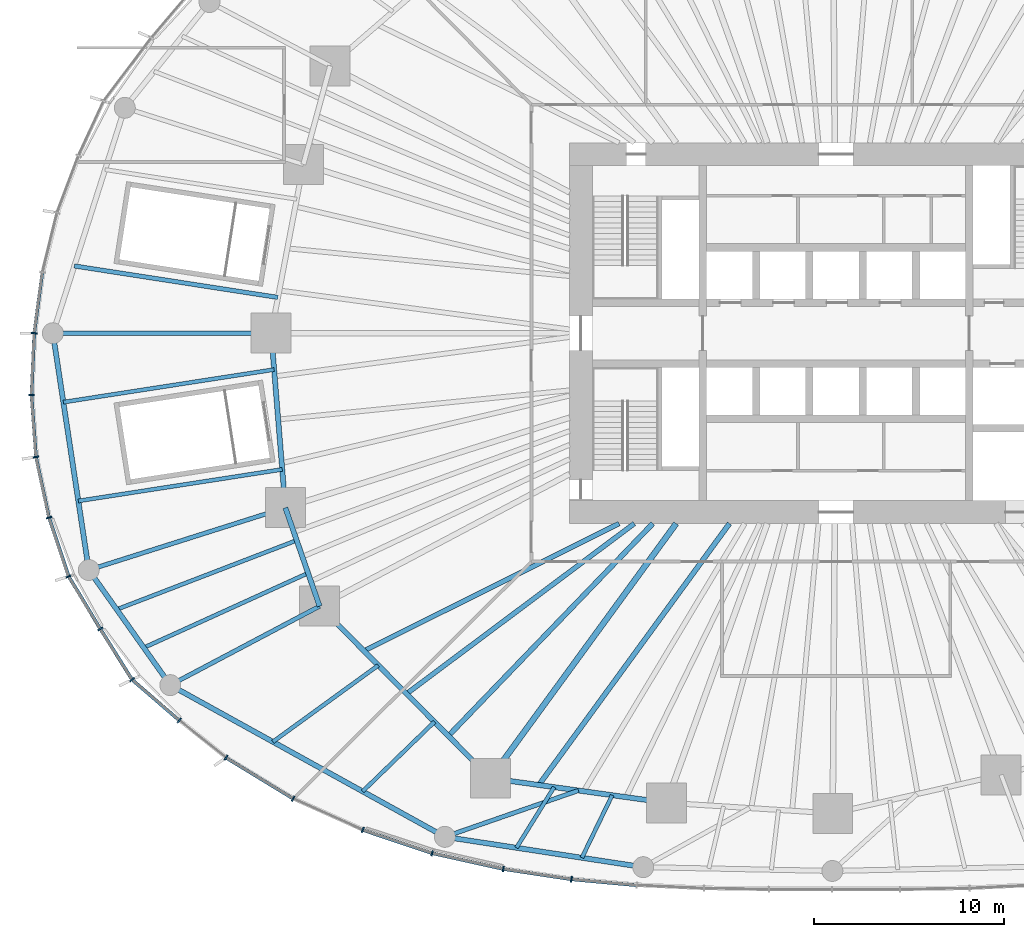
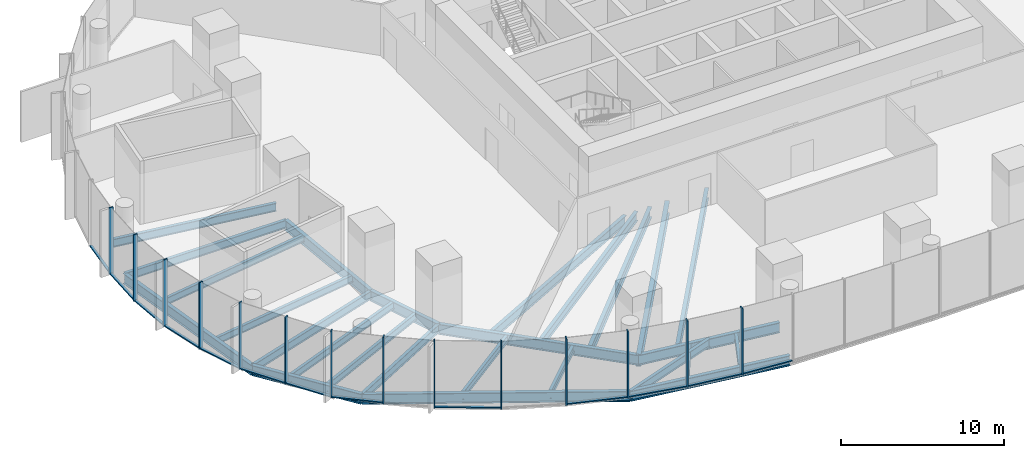
# One storey, part 2 of 27: 27 members, 26 beams, 5 elements without a shape of their own.
"""IFC4 building model written with IfcOpenShell, lengths in metres."""

from ifc_helpers import new_model, si_unit, direction, frame, origin, origin_2d, place, context, subcontext, project, spatial, rectangle, i_section, extrude, material, material_profile, profile_set, type_object, element, aggregate, save


model = new_model("IFC4")

# Units and contexts
model_context = context("Model", 3, precision=1e-05, world=origin(), true_north=direction((0.0, 1.0)))
body_context = subcontext(model_context, "Body", "Model", "MODEL_VIEW")
ifc_project = project(units=[si_unit("LENGTHUNIT", "METRE"), si_unit("AREAUNIT", "SQUARE_METRE"), si_unit("VOLUMEUNIT", "CUBIC_METRE"), si_unit("PLANEANGLEUNIT", "RADIAN"), si_unit("MASSUNIT", "GRAM", prefix="KILO")], contexts=[model_context])

# Site, building, storey
site_placement = place(None, origin())
site = spatial("IfcSite", under=ifc_project, at=site_placement, CompositionType="ELEMENT")
building_placement = place(site_placement, origin())
building = spatial("IfcBuilding", under=site, at=building_placement, Name="Ghaith Harvest Tower", CompositionType="ELEMENT")
storey_placement = place(building_placement, frame((0.0, 0.0, 10.0)))
storey = spatial("IfcBuildingStorey", under=building, at=storey_placement, Name="L02", CompositionType="ELEMENT", Elevation=10.0)

# Curtain wall, members
ifc_material_1 = material(Name="Black anodised aluminium and fritted glass", Category="aluminium")
curtain_wall_type = type_object("IfcCurtainWallType", Name="CW-P CURTAIN WALL", PredefinedType="NOTDEFINED", material=ifc_material_1)
curtain_wall_1_placement = place(storey_placement, origin())
curtain_wall_1 = element("IfcCurtainWall", 1, at=curtain_wall_1_placement, inside=storey, type_object=curtain_wall_type, Name="Curtain wall CW-P bay 11 L02", PredefinedType="NOTDEFINED")
ifc_material_2 = material(Name="Aluminium, black anodised", Category="aluminium")
ifc_material_profile_1 = material_profile(ifc_material_2, rectangle(XDim=0.080078125, YDim=0.300048828125, at=origin_2d()), Name="CW-P MULLION 80x300")
ifc_profile_set_1 = profile_set([ifc_material_profile_1], Name="Aluminium, black anodised")
member_type_1 = type_object("IfcMemberType", Name="CW-P MULLION 80x300", PredefinedType="MULLION", material=ifc_profile_set_1)
member_1_placement = place(storey_placement, frame((-42.1201171875, 0.0, 0.0), z_axis=(0.0, 0.0, 1.0), x_axis=(-0.088430686487, -0.996082332786, 0.0)))
member_1 = element("IfcMember", 2, at=member_1_placement, type_object=member_type_1, Name="CW-P mullion 1 bay 11 L02", PredefinedType="MULLION", context=body_context, shape_type="SweptSolid", body=[
    extrude(rectangle(XDim=0.080078125, YDim=0.300048828125, at=origin_2d()), origin(), (0.0, 0.0, 1.0), 5.0),
])
member_2_placement = place(storey_placement, frame((-42.265380859375, -3.249267578125, 0.0), z_axis=(0.0, 0.0, 1.0), x_axis=(0.014346656927, -0.999897081421, 0.0)))
member_2 = element("IfcMember", 3, at=member_2_placement, type_object=member_type_1, Name="CW-P mullion 2 bay 11 L02", PredefinedType="MULLION", context=body_context, shape_type="SweptSolid", body=[
    extrude(rectangle(XDim=0.080078125, YDim=0.300048828125, at=origin_2d()), origin(), (0.0, 0.0, 1.0), 5.0),
])
member_3_placement = place(storey_placement, frame((-42.02685546875, -6.500244140625, 0.0), z_axis=(0.0, 0.0, 1.0), x_axis=(0.141967505359, -0.989871318618, 0.0)))
member_3 = element("IfcMember", 4, at=member_3_placement, type_object=member_type_1, Name="CW-P mullion 3 bay 11 L02", PredefinedType="MULLION", context=body_context, shape_type="SweptSolid", body=[
    extrude(rectangle(XDim=0.080078125, YDim=0.300048828125, at=origin_2d()), origin(), (0.0, 0.0, 1.0), 5.0),
])
member_4_placement = place(storey_placement, frame((-41.341796875, -9.687744140625, 0.0), z_axis=(0.0, 0.0, 1.0), x_axis=(0.263666740541, -0.964613834616, 0.0)))
member_4 = element("IfcMember", 5, at=member_4_placement, type_object=member_type_1, Name="CW-P mullion 4 bay 11 L02", PredefinedType="MULLION", context=body_context, shape_type="SweptSolid", body=[
    extrude(rectangle(XDim=0.080078125, YDim=0.300048828125, at=origin_2d()), origin(), (0.0, 0.0, 1.0), 5.0),
])

curtain_wall_2_placement = place(storey_placement, origin())
curtain_wall_2 = element("IfcCurtainWall", 6, at=curtain_wall_2_placement, inside=storey, type_object=curtain_wall_type, Name="Curtain wall CW-P bay 12 L02", PredefinedType="NOTDEFINED")
member_5_placement = place(storey_placement, frame((-40.3115234375, -12.775390625, 0.0), z_axis=(0.0, 0.0, 1.0), x_axis=(0.418321809104, -0.908298884744, 0.0)))
member_5 = element("IfcMember", 7, at=member_5_placement, type_object=member_type_1, Name="CW-P mullion 1 bay 12 L02", PredefinedType="MULLION", context=body_context, shape_type="SweptSolid", body=[
    extrude(rectangle(XDim=0.080078125, YDim=0.300048828125, at=origin_2d()), origin(), (0.0, 0.0, 1.0), 5.0),
])
member_6_placement = place(storey_placement, frame((-38.6494140625, -15.53369140625, 0.0), z_axis=(0.0, 0.0, 1.0), x_axis=(0.522983895334, -0.852342563305, 0.0)))
member_6 = element("IfcMember", 8, at=member_6_placement, type_object=member_type_1, Name="CW-P mullion 2 bay 12 L02", PredefinedType="MULLION", context=body_context, shape_type="SweptSolid", body=[
    extrude(rectangle(XDim=0.080078125, YDim=0.300048828125, at=origin_2d()), origin(), (0.0, 0.0, 1.0), 5.0),
])
member_7_placement = place(storey_placement, frame((-36.981201171875, -18.202880859375, 0.0), z_axis=(0.0, 0.0, 1.0), x_axis=(0.653047165379, -0.75731723854, 0.0)))
member_7 = element("IfcMember", 9, at=member_7_placement, type_object=member_type_1, Name="CW-P mullion 3 bay 12 L02", PredefinedType="MULLION", context=body_context, shape_type="SweptSolid", body=[
    extrude(rectangle(XDim=0.080078125, YDim=0.300048828125, at=origin_2d()), origin(), (0.0, 0.0, 1.0), 5.0),
])
member_8_placement = place(storey_placement, frame((-34.5048828125, -20.34033203125, 0.0), z_axis=(0.0, 0.0, 1.0), x_axis=(0.769372987799, -0.638799816566, 0.0)))
member_8 = element("IfcMember", 10, at=member_8_placement, type_object=member_type_1, Name="CW-P mullion 4 bay 12 L02", PredefinedType="MULLION", context=body_context, shape_type="SweptSolid", body=[
    extrude(rectangle(XDim=0.080078125, YDim=0.300048828125, at=origin_2d()), origin(), (0.0, 0.0, 1.0), 5.0),
])

curtain_wall_3_placement = place(storey_placement, origin())
curtain_wall_3 = element("IfcCurtainWall", 11, at=curtain_wall_3_placement, inside=storey, type_object=curtain_wall_type, Name="Curtain wall CW-P bay 13 L02", PredefinedType="NOTDEFINED")
member_9_placement = place(storey_placement, frame((-32.0478515625, -22.299072265625, 0.0), z_axis=(0.0, 0.0, 1.0), x_axis=(0.824303659117, -0.566147929049, 0.0)))
member_9 = element("IfcMember", 12, at=member_9_placement, type_object=member_type_1, Name="CW-P mullion 1 bay 13 L02", PredefinedType="MULLION", context=body_context, shape_type="SweptSolid", body=[
    extrude(rectangle(XDim=0.080078125, YDim=0.300048828125, at=origin_2d()), origin(), (0.0, 0.0, 1.0), 5.0),
])
member_10_placement = place(storey_placement, frame((-28.51904296875, -24.451416015625, 0.0), z_axis=(0.0, 0.0, 1.0), x_axis=(0.884189562915, -0.467128265932, 0.0)))
member_10 = element("IfcMember", 13, at=member_10_placement, type_object=member_type_1, Name="CW-P mullion 2 bay 13 L02", PredefinedType="MULLION", context=body_context, shape_type="SweptSolid", body=[
    extrude(rectangle(XDim=0.080078125, YDim=0.300048828125, at=origin_2d()), origin(), (0.0, 0.0, 1.0), 5.0),
])
member_11_placement = place(storey_placement, frame((-24.861572265625, -26.095703125, 0.0), z_axis=(0.0, 0.0, 1.0), x_axis=(0.93087582333, -0.36533573811, 0.0)))
member_11 = element("IfcMember", 14, at=member_11_placement, type_object=member_type_1, Name="CW-P mullion 3 bay 13 L02", PredefinedType="MULLION", context=body_context, shape_type="SweptSolid", body=[
    extrude(rectangle(XDim=0.080078125, YDim=0.300048828125, at=origin_2d()), origin(), (0.0, 0.0, 1.0), 5.0),
])

curtain_wall_4_placement = place(storey_placement, origin())
curtain_wall_4 = element("IfcCurtainWall", 15, at=curtain_wall_4_placement, inside=storey, type_object=curtain_wall_type, Name="Curtain wall CW-P bay 14 L02", PredefinedType="NOTDEFINED")
member_12_placement = place(storey_placement, frame((-21.2158203125, -27.317626953125, 0.0), z_axis=(0.0, 0.0, 1.0), x_axis=(0.963515543875, -0.267652380358, 0.0)))
member_12 = element("IfcMember", 16, at=member_12_placement, type_object=member_type_1, Name="CW-P mullion 1 bay 14 L02", PredefinedType="MULLION", context=body_context, shape_type="SweptSolid", body=[
    extrude(rectangle(XDim=0.080078125, YDim=0.300048828125, at=origin_2d()), origin(), (0.0, 0.0, 1.0), 5.0),
])
member_13_placement = place(storey_placement, frame((-17.480224609375, -28.146240234375, 0.0), z_axis=(0.0, 0.0, 1.0), x_axis=(0.982925966769, -0.18400147785, 0.0)))
member_13 = element("IfcMember", 17, at=member_13_placement, type_object=member_type_1, Name="CW-P mullion 2 bay 14 L02", PredefinedType="MULLION", context=body_context, shape_type="SweptSolid", body=[
    extrude(rectangle(XDim=0.080078125, YDim=0.300048828125, at=origin_2d()), origin(), (0.0, 0.0, 1.0), 5.0),
])
member_14_placement = place(storey_placement, frame((-13.899169921875, -28.687255859375, 0.0), z_axis=(0.0, 0.0, 1.0), x_axis=(0.992661873774, -0.120923134079, 0.0)))
member_14 = element("IfcMember", 18, at=member_14_placement, type_object=member_type_1, Name="CW-P mullion 3 bay 14 L02", PredefinedType="MULLION", context=body_context, shape_type="SweptSolid", body=[
    extrude(rectangle(XDim=0.080078125, YDim=0.300048828125, at=origin_2d()), origin(), (0.0, 0.0, 1.0), 5.0),
])

# Curtain wall, member
curtain_wall_5_placement = place(storey_placement, origin())
curtain_wall_5 = element("IfcCurtainWall", 19, at=curtain_wall_5_placement, inside=storey, type_object=curtain_wall_type, Name="Curtain wall CW-P bay 10 L02", PredefinedType="NOTDEFINED")
ifc_material_3 = material(Name="Aluminium, black anodised", Category="aluminium")
ifc_material_profile_2 = material_profile(ifc_material_3, rectangle(XDim=0.179931640625, YDim=0.080078125, at=origin_2d()), Name="CW-P TRANSOM 180x80")
ifc_profile_set_2 = profile_set([ifc_material_profile_2], Name="Aluminium, black anodised")
member_type_2 = type_object("IfcMemberType", Name="CW-P TRANSOM 180x80", PredefinedType="USERDEFINED", material=ifc_profile_set_2)
member_15_placement = place(storey_placement, frame((-41.697509765625, 3.16552734375, 0.0400390625), z_axis=(-0.132300630161, -0.991209636383, 0.0), x_axis=(0.991209636383, -0.132300630161, 0.0)))
member_15 = element("IfcMember", 20, at=member_15_placement, type_object=member_type_2, Name="CW-P transom 4 bay 10 L02", ObjectType="TRANSOM", PredefinedType="USERDEFINED", context=body_context, shape_type="SweptSolid", body=[
    extrude(rectangle(XDim=0.179931640625, YDim=0.080078125, at=origin_2d()), origin(), (0.0, 0.0, 1.0), 3.15380859375),
])
aggregate(curtain_wall_5, [member_15])

# Member
member_16_placement = place(storey_placement, frame((-42.121826171875, -0.0400390625, 0.0400390625), z_axis=(-0.044636154371, -0.999003310166, 0.0), x_axis=(0.999003310166, -0.044636154371, 0.0)))
member_16 = element("IfcMember", 21, at=member_16_placement, type_object=member_type_2, Name="CW-P transom 1 bay 11 L02", ObjectType="TRANSOM", PredefinedType="USERDEFINED", context=body_context, shape_type="SweptSolid", body=[
    extrude(rectangle(XDim=0.179931640625, YDim=0.080078125, at=origin_2d()), origin(), (0.0, 0.0, 1.0), 3.17236328125),
])

member_17_placement = place(storey_placement, frame((-42.262451171875, -3.2890625, 0.0400390625), z_axis=(0.073249458945, -0.997313650144, 0.0), x_axis=(0.997313650144, 0.073249458945, 0.0)))
member_17 = element("IfcMember", 22, at=member_17_placement, type_object=member_type_2, Name="CW-P transom 2 bay 11 L02", ObjectType="TRANSOM", PredefinedType="USERDEFINED", context=body_context, shape_type="SweptSolid", body=[
    extrude(rectangle(XDim=0.179931640625, YDim=0.080078125, at=origin_2d()), origin(), (0.0, 0.0, 1.0), 3.1796875),
])

member_18_placement = place(storey_placement, frame((-42.018310546875, -6.539306640625, 0.0400390625), z_axis=(0.210032347731, -0.977694437392, 0.0), x_axis=(0.977694437392, 0.210032347731, 0.0)))
member_18 = element("IfcMember", 23, at=member_18_placement, type_object=member_type_2, Name="CW-P transom 3 bay 11 L02", ObjectType="TRANSOM", PredefinedType="USERDEFINED", context=body_context, shape_type="SweptSolid", body=[
    extrude(rectangle(XDim=0.179931640625, YDim=0.080078125, at=origin_2d()), origin(), (0.0, 0.0, 1.0), 3.180419921875),
])

member_19_placement = place(storey_placement, frame((-41.329345703125, -9.7255859375, 0.0400390625), z_axis=(0.316550680136, -0.948575598941, 0.0), x_axis=(0.948575598941, 0.316550680136, 0.0)))
member_19 = element("IfcMember", 24, at=member_19_placement, type_object=member_type_2, Name="CW-P transom 4 bay 11 L02", ObjectType="TRANSOM", PredefinedType="USERDEFINED", context=body_context, shape_type="SweptSolid", body=[
    extrude(rectangle(XDim=0.179931640625, YDim=0.080078125, at=origin_2d()), origin(), (0.0, 0.0, 1.0), 3.17529296875),
])

aggregate(curtain_wall_1, [member_1, member_16, member_2, member_17, member_3, member_18, member_4, member_19])

member_20_placement = place(storey_placement, frame((-40.290771484375, -12.809814453125, 0.0400390625), z_axis=(0.516084110483, -0.85653790979, 0.0), x_axis=(0.85653790979, 0.516084110483, 0.0)))
member_20 = element("IfcMember", 25, at=member_20_placement, type_object=member_type_2, Name="CW-P transom 1 bay 12 L02", ObjectType="TRANSOM", PredefinedType="USERDEFINED", context=body_context, shape_type="SweptSolid", body=[
    extrude(rectangle(XDim=0.179931640625, YDim=0.080078125, at=origin_2d()), origin(), (0.0, 0.0, 1.0), 3.14013671875),
])

member_21_placement = place(storey_placement, frame((-38.628173828125, -15.567626953125, 0.0400390625), z_axis=(0.529977477861, -0.848011717466, 0.0), x_axis=(0.848011717466, 0.529977477861, 0.0)))
member_21 = element("IfcMember", 26, at=member_21_placement, type_object=member_type_2, Name="CW-P transom 2 bay 12 L02", ObjectType="TRANSOM", PredefinedType="USERDEFINED", context=body_context, shape_type="SweptSolid", body=[
    extrude(rectangle(XDim=0.179931640625, YDim=0.080078125, at=origin_2d()), origin(), (0.0, 0.0, 1.0), 3.067626953125),
])

member_22_placement = place(storey_placement, frame((-36.950927734375, -18.22900390625, 0.0400390625), z_axis=(0.757000159796, -0.653414690735, 0.0), x_axis=(0.653414690735, 0.757000159796, 0.0)))
member_22 = element("IfcMember", 27, at=member_22_placement, type_object=member_type_2, Name="CW-P transom 3 bay 12 L02", ObjectType="TRANSOM", PredefinedType="USERDEFINED", context=body_context, shape_type="SweptSolid", body=[
    extrude(rectangle(XDim=0.179931640625, YDim=0.080078125, at=origin_2d()), origin(), (0.0, 0.0, 1.0), 3.191162109375),
])

aggregate(curtain_wall_2, [member_5, member_20, member_6, member_21, member_7, member_22, member_8])

member_23_placement = place(storey_placement, frame((-32.013671875, -22.31982421875, 0.0400390625), z_axis=(0.85370735862, -0.520753056485, 0.0), x_axis=(0.520753056485, 0.85370735862, 0.0)))
member_23 = element("IfcMember", 28, at=member_23_placement, type_object=member_type_2, Name="CW-P transom 1 bay 13 L02", ObjectType="TRANSOM", PredefinedType="USERDEFINED", context=body_context, shape_type="SweptSolid", body=[
    extrude(rectangle(XDim=0.179931640625, YDim=0.080078125, at=origin_2d()), origin(), (0.0, 0.0, 1.0), 4.053466796875),
])

member_24_placement = place(storey_placement, frame((-24.82373046875, -26.1083984375, 0.0400390625), z_axis=(0.948163297351, -0.317783513665, 0.0), x_axis=(0.317783513665, 0.948163297351, 0.0)))
member_24 = element("IfcMember", 29, at=member_24_placement, type_object=member_type_2, Name="CW-P transom 3 bay 13 L02", ObjectType="TRANSOM", PredefinedType="USERDEFINED", context=body_context, shape_type="SweptSolid", body=[
    extrude(rectangle(XDim=0.179931640625, YDim=0.080078125, at=origin_2d()), origin(), (0.0, 0.0, 1.0), 3.76513671875),
])

aggregate(curtain_wall_3, [member_9, member_23, member_10, member_11, member_24])

member_25_placement = place(storey_placement, frame((-21.1767578125, -27.326416015625, 0.0400390625), z_axis=(0.976285095967, -0.216488825099, 0.0), x_axis=(0.216488825099, 0.976285095967, 0.0)))
member_25 = element("IfcMember", 30, at=member_25_placement, type_object=member_type_2, Name="CW-P transom 1 bay 14 L02", ObjectType="TRANSOM", PredefinedType="USERDEFINED", context=body_context, shape_type="SweptSolid", body=[
    extrude(rectangle(XDim=0.179931640625, YDim=0.080078125, at=origin_2d()), origin(), (0.0, 0.0, 1.0), 3.746337890625),
])

member_26_placement = place(storey_placement, frame((-17.440673828125, -28.152099609375, 0.0400390625), z_axis=(0.988769891986, -0.149445979213, 0.0), x_axis=(0.149445979213, 0.988769891986, 0.0)))
member_26 = element("IfcMember", 31, at=member_26_placement, type_object=member_type_2, Name="CW-P transom 2 bay 14 L02", ObjectType="TRANSOM", PredefinedType="USERDEFINED", context=body_context, shape_type="SweptSolid", body=[
    extrude(rectangle(XDim=0.179931640625, YDim=0.080078125, at=origin_2d()), origin(), (0.0, 0.0, 1.0), 3.541748046875),
])

member_27_placement = place(storey_placement, frame((-13.859375, -28.69091796875, 0.0400390625), z_axis=(0.995865161112, -0.090843716806, 0.0), x_axis=(0.090843716806, 0.995865161112, 0.0)))
member_27 = element("IfcMember", 32, at=member_27_placement, type_object=member_type_2, Name="CW-P transom 3 bay 14 L02", ObjectType="TRANSOM", PredefinedType="USERDEFINED", context=body_context, shape_type="SweptSolid", body=[
    extrude(rectangle(XDim=0.179931640625, YDim=0.080078125, at=origin_2d()), origin(), (0.0, 0.0, 1.0), 3.359375),
])

aggregate(curtain_wall_4, [member_12, member_25, member_13, member_26, member_14, member_27])

# Beams
ifc_material_4 = material(Name="Steel ASTM A992 Grade 50", Category="steel")
ifc_material_profile_3 = material_profile(ifc_material_4, i_section(OverallWidth=0.26806640625, OverallDepth=0.77001953125, WebThickness=0.015625, FlangeThickness=0.025390625, at=origin_2d()), Name="W760X196")
ifc_profile_set_3 = profile_set([ifc_material_profile_3], Name="Steel ASTM A992 Grade 50")
beam_type_1 = type_object("IfcBeamType", Name="E760-196 W760X196", PredefinedType="SPANDREL", material=ifc_profile_set_3)
beam_1_placement = place(storey_placement, frame((-29.675048828125, 0.0, -0.635009765625), z_axis=(0.081006863421, -0.996713543642, 0.0), x_axis=(0.996713543642, 0.081006863421, 0.0)))
element("IfcBeam", 33, at=beam_1_placement, inside=storey, type_object=beam_type_1, Name="Edge beam E11 L02", PredefinedType="SPANDREL", context=body_context, shape_type="SweptSolid", body=[
    extrude(i_section(OverallWidth=0.26806640625, OverallDepth=0.77001953125, WebThickness=0.015625, FlangeThickness=0.025390625, at=origin_2d()), origin(), (0.0, 0.0, 1.0), 9.1982421875),
])
beam_2_placement = place(storey_placement, frame((-28.929931640625, -9.16796875, -0.635009765625), z_axis=(0.328278550319, -0.944580961803, 0.0), x_axis=(0.944580961803, 0.328278550319, 0.0)))
element("IfcBeam", 34, at=beam_2_placement, inside=storey, type_object=beam_type_1, Name="Edge beam E12 L02", PredefinedType="SPANDREL", context=body_context, shape_type="SweptSolid", body=[
    extrude(i_section(OverallWidth=0.26806640625, OverallDepth=0.77001953125, WebThickness=0.015625, FlangeThickness=0.025390625, at=origin_2d()), origin(), (0.0, 0.0, 1.0), 5.4765625),
])
beam_3_placement = place(storey_placement, frame((-27.132080078125, -14.341064453125, -0.635009765625), z_axis=(0.704562513714, -0.709641926798, 0.0), x_axis=(0.709641926798, 0.704562513714, 0.0)))
element("IfcBeam", 35, at=beam_3_placement, inside=storey, type_object=beam_type_1, Name="Edge beam E13 L02", PredefinedType="SPANDREL", context=body_context, shape_type="SweptSolid", body=[
    extrude(i_section(OverallWidth=0.26806640625, OverallDepth=0.77001953125, WebThickness=0.015625, FlangeThickness=0.025390625, at=origin_2d()), origin(), (0.0, 0.0, 1.0), 12.737060546875),
])
beam_4_placement = place(storey_placement, frame((-18.157958984375, -23.3798828125, -0.635009765625), z_axis=(0.990441143901, -0.137936001352, 0.0), x_axis=(0.137936001352, 0.990441143901, 0.0)))
element("IfcBeam", 36, at=beam_4_placement, inside=storey, type_object=beam_type_1, Name="Edge beam E14 L02", PredefinedType="SPANDREL", context=body_context, shape_type="SweptSolid", body=[
    extrude(i_section(OverallWidth=0.26806640625, OverallDepth=0.77001953125, WebThickness=0.015625, FlangeThickness=0.025390625, at=origin_2d()), origin(), (0.0, 0.0, 1.0), 9.33837890625),
])
beam_5_placement = place(storey_placement, frame((-41.14208984375, 0.0, -0.635009765625), z_axis=(0.149882970855, -0.988703744833, 0.0), x_axis=(0.988703744833, 0.149882970855, 0.0)))
element("IfcBeam", 37, at=beam_5_placement, inside=storey, type_object=beam_type_1, Name="Podium edge beam PE11 L02", PredefinedType="SPANDREL", context=body_context, shape_type="SweptSolid", body=[
    extrude(i_section(OverallWidth=0.26806640625, OverallDepth=0.77001953125, WebThickness=0.015625, FlangeThickness=0.025390625, at=origin_2d()), origin(), (0.0, 0.0, 1.0), 12.5830078125),
])
beam_6_placement = place(storey_placement, frame((-39.256103515625, -12.44091796875, -0.635009765625), z_axis=(0.577866461628, -0.81613133289, 0.0), x_axis=(0.81613133289, 0.577866461628, 0.0)))
element("IfcBeam", 38, at=beam_6_placement, inside=storey, type_object=beam_type_1, Name="Podium edge beam PE12 L02", PredefinedType="SPANDREL", context=body_context, shape_type="SweptSolid", body=[
    extrude(i_section(OverallWidth=0.26806640625, OverallDepth=0.77001953125, WebThickness=0.015625, FlangeThickness=0.025390625, at=origin_2d()), origin(), (0.0, 0.0, 1.0), 7.408203125),
])
beam_7_placement = place(storey_placement, frame((-34.97509765625, -18.487060546875, -0.635009765625), z_axis=(0.875250611325, -0.483669688294, 0.0), x_axis=(0.483669688294, 0.875250611325, 0.0)))
element("IfcBeam", 39, at=beam_7_placement, inside=storey, type_object=beam_type_1, Name="Podium edge beam PE13 L02", PredefinedType="SPANDREL", context=body_context, shape_type="SweptSolid", body=[
    extrude(i_section(OverallWidth=0.26806640625, OverallDepth=0.77001953125, WebThickness=0.015625, FlangeThickness=0.025390625, at=origin_2d()), origin(), (0.0, 0.0, 1.0), 16.482177734375),
])
beam_8_placement = place(storey_placement, frame((-20.549072265625, -26.458984375, -0.635009765625), z_axis=(0.988537951138, -0.150972577511, 0.0), x_axis=(0.150972577511, 0.988537951138, 0.0)))
element("IfcBeam", 40, at=beam_8_placement, inside=storey, type_object=beam_type_1, Name="Podium edge beam PE14 L02", PredefinedType="SPANDREL", context=body_context, shape_type="SweptSolid", body=[
    extrude(i_section(OverallWidth=0.26806640625, OverallDepth=0.77001953125, WebThickness=0.015625, FlangeThickness=0.025390625, at=origin_2d()), origin(), (0.0, 0.0, 1.0), 10.538818359375),
])
ifc_material_5 = material(Name="Steel ASTM A992 Grade 50", Category="steel")
ifc_material_profile_4 = material_profile(ifc_material_5, i_section(OverallWidth=0.22802734375, OverallDepth=0.60302734375, WebThickness=0.010498046875, FlangeThickness=0.014892578125, at=origin_2d()), Name="W610X101")
ifc_profile_set_4 = profile_set([ifc_material_profile_4], Name="Steel ASTM A992 Grade 50")
beam_type_2 = type_object("IfcBeamType", Name="G610-101 W610X101", PredefinedType="BEAM", material=ifc_profile_set_4)
beam_9_placement = place(storey_placement, frame((-29.675048828125, 0.0, -0.551513671875), z_axis=(-1.0, 0.0, 0.0), x_axis=(0.0, -1.0, 0.0)))
element("IfcBeam", 41, at=beam_9_placement, inside=storey, type_object=beam_type_2, Name="Podium radial beam PR11 L02", PredefinedType="BEAM", context=body_context, shape_type="SweptSolid", body=[
    extrude(i_section(OverallWidth=0.22802734375, OverallDepth=0.60302734375, WebThickness=0.010498046875, FlangeThickness=0.014892578125, at=origin_2d()), origin(), (0.0, 0.0, 1.0), 11.467041015625),
])
beam_10_placement = place(storey_placement, frame((-28.929931640625, -9.16796875, -0.551513671875), z_axis=(-0.953262623982, -0.302142962386, 0.0), x_axis=(0.302142962386, -0.953262623982, 0.0)))
element("IfcBeam", 42, at=beam_10_placement, inside=storey, type_object=beam_type_2, Name="Podium radial beam PR12 L02", PredefinedType="BEAM", context=body_context, shape_type="SweptSolid", body=[
    extrude(i_section(OverallWidth=0.22802734375, OverallDepth=0.60302734375, WebThickness=0.010498046875, FlangeThickness=0.014892578125, at=origin_2d()), origin(), (0.0, 0.0, 1.0), 10.83251953125),
])
beam_11_placement = place(storey_placement, frame((-27.132080078125, -14.341064453125, -0.551513671875), z_axis=(-0.884076260835, -0.467342663393, 0.0), x_axis=(0.467342663393, -0.884076260835, 0.0)))
element("IfcBeam", 43, at=beam_11_placement, inside=storey, type_object=beam_type_2, Name="Podium radial beam PR13 L02", PredefinedType="BEAM", context=body_context, shape_type="SweptSolid", body=[
    extrude(i_section(OverallWidth=0.22802734375, OverallDepth=0.60302734375, WebThickness=0.010498046875, FlangeThickness=0.014892578125, at=origin_2d()), origin(), (0.0, 0.0, 1.0), 8.871337890625),
])
beam_12_placement = place(storey_placement, frame((-13.533447265625, -24.02392578125, -0.551513671875), z_axis=(-0.944712141778, -0.327900852662, 0.0), x_axis=(0.327900852662, -0.944712141778, 0.0)))
element("IfcBeam", 44, at=beam_12_placement, inside=storey, type_object=beam_type_2, Name="Podium radial beam PR14 L02", PredefinedType="BEAM", context=body_context, shape_type="SweptSolid", body=[
    extrude(i_section(OverallWidth=0.22802734375, OverallDepth=0.60302734375, WebThickness=0.010498046875, FlangeThickness=0.014892578125, at=origin_2d()), origin(), (0.0, 0.0, 1.0), 7.42626953125),
])
ifc_material_6 = material(Name="Steel ASTM A992 Grade 50", Category="steel")
ifc_material_profile_5 = material_profile(ifc_material_6, i_section(OverallWidth=0.31005859375, OverallDepth=0.927001953125, WebThickness=0.019287109375, FlangeThickness=0.031982421875, at=origin_2d()), Name="W920X289")
ifc_profile_set_5 = profile_set([ifc_material_profile_5], Name="Steel ASTM A992 Grade 50")
beam_type_3 = type_object("IfcBeamType", Name="G920-289 W920X289", PredefinedType="BEAM", material=ifc_profile_set_5)
beam_13_placement = place(storey_placement, frame((-8.39990234375, -10.0, -0.71337890625), z_axis=(-0.589246749374, -0.807953134997, 0.0), x_axis=(0.807953134997, -0.589246749374, 0.0)))
element("IfcBeam", 45, at=beam_13_placement, inside=storey, type_object=beam_type_3, Name="Radial girder G14 L02", PredefinedType="BEAM", context=body_context, shape_type="SweptSolid", body=[
    extrude(i_section(OverallWidth=0.31005859375, OverallDepth=0.927001953125, WebThickness=0.019287109375, FlangeThickness=0.031982421875, at=origin_2d()), origin(), (0.0, 0.0, 1.0), 16.560302734375),
])
ifc_material_7 = material(Name="Steel ASTM A992 Grade 50", Category="steel")
ifc_material_profile_6 = material_profile(ifc_material_7, i_section(OverallWidth=0.208984375, OverallDepth=0.532958984375, WebThickness=0.01025390625, FlangeThickness=0.015625, at=origin_2d()), Name="W530X92")
ifc_profile_set_6 = profile_set([ifc_material_profile_6], Name="Steel ASTM A992 Grade 50")
beam_type_4 = type_object("IfcBeamType", Name="J530-92 W530X92", PredefinedType="JOIST", material=ifc_profile_set_6)
beam_14_placement = place(storey_placement, frame((-29.519775390625, -1.90966796875, -0.5166015625), z_axis=(-0.988249717028, -0.152847953191, 0.0), x_axis=(0.152847953191, -0.988249717028, 0.0)))
element("IfcBeam", 46, at=beam_14_placement, inside=storey, type_object=beam_type_4, Name="Podium joist PJ11.1 L02", PredefinedType="JOIST", context=body_context, shape_type="SweptSolid", body=[
    extrude(i_section(OverallWidth=0.208984375, OverallDepth=0.532958984375, WebThickness=0.01025390625, FlangeThickness=0.015625, at=origin_2d()), origin(), (0.0, 0.0, 1.0), 11.204833984375),
])
beam_15_placement = place(storey_placement, frame((-29.093505859375, -7.156005859375, -0.5166015625), z_axis=(-0.988247691561, -0.152861048421, 0.0), x_axis=(0.152861048421, -0.988247691561, 0.0)))
element("IfcBeam", 47, at=beam_15_placement, inside=storey, type_object=beam_type_4, Name="Podium joist PJ11.2 L02", PredefinedType="JOIST", context=body_context, shape_type="SweptSolid", body=[
    extrude(i_section(OverallWidth=0.208984375, OverallDepth=0.532958984375, WebThickness=0.01025390625, FlangeThickness=0.015625, at=origin_2d()), origin(), (0.0, 0.0, 1.0), 10.83984375),
])
beam_16_placement = place(storey_placement, frame((-28.334228515625, -10.8818359375, -0.5166015625), z_axis=(-0.933520076282, -0.35852512768, 0.0), x_axis=(0.35852512768, -0.933520076282, 0.0)))
element("IfcBeam", 48, at=beam_16_placement, inside=storey, type_object=beam_type_4, Name="Podium joist PJ12.1 L02", PredefinedType="JOIST", context=body_context, shape_type="SweptSolid", body=[
    extrude(i_section(OverallWidth=0.208984375, OverallDepth=0.532958984375, WebThickness=0.01025390625, FlangeThickness=0.015625, at=origin_2d()), origin(), (0.0, 0.0, 1.0), 10.1279296875),
])
beam_17_placement = place(storey_placement, frame((-27.736328125, -12.60205078125, -0.5166015625), z_axis=(-0.910437915536, -0.413645744514, 0.0), x_axis=(0.413645744514, -0.910437915536, 0.0)))
element("IfcBeam", 49, at=beam_17_placement, inside=storey, type_object=beam_type_4, Name="Podium joist PJ12.2 L02", PredefinedType="JOIST", context=body_context, shape_type="SweptSolid", body=[
    extrude(i_section(OverallWidth=0.208984375, OverallDepth=0.532958984375, WebThickness=0.01025390625, FlangeThickness=0.015625, at=origin_2d()), origin(), (0.0, 0.0, 1.0), 9.478271484375),
])
beam_18_placement = place(storey_placement, frame((-24.048095703125, -17.447509765625, -0.5166015625), z_axis=(-0.80941453106, -0.587237700517, 0.0), x_axis=(0.587237700517, -0.80941453106, 0.0)))
element("IfcBeam", 50, at=beam_18_placement, inside=storey, type_object=beam_type_4, Name="Podium joist PJ13.1 L02", PredefinedType="JOIST", context=body_context, shape_type="SweptSolid", body=[
    extrude(i_section(OverallWidth=0.208984375, OverallDepth=0.532958984375, WebThickness=0.01025390625, FlangeThickness=0.015625, at=origin_2d()), origin(), (0.0, 0.0, 1.0), 6.841552734375),
])
beam_19_placement = place(storey_placement, frame((-21.09765625, -20.419189453125, -0.5166015625), z_axis=(-0.718566911947, -0.695457829817, 0.0), x_axis=(0.695457829817, -0.718566911947, 0.0)))
element("IfcBeam", 51, at=beam_19_placement, inside=storey, type_object=beam_type_4, Name="Podium joist PJ13.2 L02", PredefinedType="JOIST", context=body_context, shape_type="SweptSolid", body=[
    extrude(i_section(OverallWidth=0.208984375, OverallDepth=0.532958984375, WebThickness=0.01025390625, FlangeThickness=0.015625, at=origin_2d()), origin(), (0.0, 0.0, 1.0), 5.250732421875),
])
beam_20_placement = place(storey_placement, frame((-14.809814453125, -23.84619140625, -0.5166015625), z_axis=(-0.527528090302, -0.849537588305, 0.0), x_axis=(0.849537588305, -0.527528090302, 0.0)))
element("IfcBeam", 52, at=beam_20_placement, inside=storey, type_object=beam_type_4, Name="Podium joist PJ14.1 L02", PredefinedType="JOIST", context=body_context, shape_type="SweptSolid", body=[
    extrude(i_section(OverallWidth=0.208984375, OverallDepth=0.532958984375, WebThickness=0.01025390625, FlangeThickness=0.015625, at=origin_2d()), origin(), (0.0, 0.0, 1.0), 3.75146484375),
])
beam_21_placement = place(storey_placement, frame((-11.759521484375, -24.27099609375, -0.5166015625), z_axis=(-0.436002893148, -0.899945263428, 0.0), x_axis=(0.899945263428, -0.436002893148, 0.0)))
element("IfcBeam", 53, at=beam_21_placement, inside=storey, type_object=beam_type_4, Name="Podium joist PJ14.2 L02", PredefinedType="JOIST", context=body_context, shape_type="SweptSolid", body=[
    extrude(i_section(OverallWidth=0.208984375, OverallDepth=0.532958984375, WebThickness=0.01025390625, FlangeThickness=0.015625, at=origin_2d()), origin(), (0.0, 0.0, 1.0), 3.652587890625),
])
ifc_material_8 = material(Name="Steel ASTM A992 Grade 50", Category="steel")
ifc_material_profile_7 = material_profile(ifc_material_8, i_section(OverallWidth=0.22900390625, OverallDepth=0.612060546875, WebThickness=0.011962890625, FlangeThickness=0.01953125, at=origin_2d()), Name="W610X125")
ifc_profile_set_7 = profile_set([ifc_material_profile_7], Name="Steel ASTM A992 Grade 50")
beam_type_5 = type_object("IfcBeamType", Name="J610-125 W610X125", PredefinedType="JOIST", material=ifc_profile_set_7)
beam_22_placement = place(storey_placement, frame((-29.316650390625, 1.878173828125, -0.555908203125), z_axis=(-0.988250142004, 0.152845205449, 0.0), x_axis=(-0.152845205449, -0.988250142004, 0.0)))
element("IfcBeam", 54, at=beam_22_placement, inside=storey, type_object=beam_type_5, Name="Podium joist PJ10.2 L02", PredefinedType="JOIST", context=body_context, shape_type="SweptSolid", body=[
    extrude(i_section(OverallWidth=0.22900390625, OverallDepth=0.612060546875, WebThickness=0.011962890625, FlangeThickness=0.01953125, at=origin_2d()), origin(), (0.0, 0.0, 1.0), 10.824951171875),
])
ifc_material_9 = material(Name="Steel ASTM A992 Grade 50", Category="steel")
ifc_material_profile_8 = material_profile(ifc_material_9, i_section(OverallWidth=0.25390625, OverallDepth=0.68408203125, WebThickness=0.012451171875, FlangeThickness=0.018798828125, at=origin_2d()), Name="W690X140")
ifc_profile_set_8 = profile_set([ifc_material_profile_8], Name="Steel ASTM A992 Grade 50")
beam_type_6 = type_object("IfcBeamType", Name="J690-140 W690X140", PredefinedType="JOIST", material=ifc_profile_set_8)
beam_23_placement = place(storey_placement, frame((-11.39990234375, -10.0, -0.592041015625), z_axis=(-0.894746445211, -0.446574516495, 0.0), x_axis=(0.446574516495, -0.894746445211, 0.0)))
element("IfcBeam", 55, at=beam_23_placement, inside=storey, type_object=beam_type_6, Name="Joist J13.1 L02", PredefinedType="JOIST", context=body_context, shape_type="SweptSolid", body=[
    extrude(i_section(OverallWidth=0.25390625, OverallDepth=0.68408203125, WebThickness=0.012451171875, FlangeThickness=0.018798828125, at=origin_2d()), origin(), (0.0, 0.0, 1.0), 14.977783203125),
])
beam_24_placement = place(storey_placement, frame((-10.60009765625, -10.0, -0.592041015625), z_axis=(-0.800995319048, -0.598670609653, 0.0), x_axis=(0.598670609653, -0.800995319048, 0.0)))
element("IfcBeam", 56, at=beam_24_placement, inside=storey, type_object=beam_type_6, Name="Joist J13.2 L02", PredefinedType="JOIST", context=body_context, shape_type="SweptSolid", body=[
    extrude(i_section(OverallWidth=0.25390625, OverallDepth=0.68408203125, WebThickness=0.012451171875, FlangeThickness=0.018798828125, at=origin_2d()), origin(), (0.0, 0.0, 1.0), 14.936279296875),
])
ifc_material_10 = material(Name="Steel ASTM A992 Grade 50", Category="steel")
ifc_material_profile_9 = material_profile(ifc_material_10, i_section(OverallWidth=0.26806640625, OverallDepth=0.77001953125, WebThickness=0.015625, FlangeThickness=0.025390625, at=origin_2d()), Name="W760X196")
ifc_profile_set_9 = profile_set([ifc_material_profile_9], Name="Steel ASTM A992 Grade 50")
beam_type_7 = type_object("IfcBeamType", Name="J760-196 W760X196", PredefinedType="JOIST", material=ifc_profile_set_9)
beam_25_placement = place(storey_placement, frame((-9.626708984375, -10.0, -0.635009765625), z_axis=(-0.69353836378, -0.720419695709, 0.0), x_axis=(0.720419695709, -0.69353836378, 0.0)))
element("IfcBeam", 57, at=beam_25_placement, inside=storey, type_object=beam_type_7, Name="Joist J13.3 L02", PredefinedType="JOIST", context=body_context, shape_type="SweptSolid", body=[
    extrude(i_section(OverallWidth=0.26806640625, OverallDepth=0.77001953125, WebThickness=0.015625, FlangeThickness=0.025390625, at=origin_2d()), origin(), (0.0, 0.0, 1.0), 15.485107421875),
])
beam_26_placement = place(storey_placement, frame((-5.60009765625, -10.0, -0.635009765625), z_axis=(-0.589160240072, -0.808016219836, 0.0), x_axis=(0.808016219836, -0.589160240072, 0.0)))
element("IfcBeam", 58, at=beam_26_placement, inside=storey, type_object=beam_type_7, Name="Joist J14.1 L02", PredefinedType="JOIST", context=body_context, shape_type="SweptSolid", body=[
    extrude(i_section(OverallWidth=0.26806640625, OverallDepth=0.77001953125, WebThickness=0.015625, FlangeThickness=0.025390625, at=origin_2d()), origin(), (0.0, 0.0, 1.0), 16.997314453125),
])

save(model, "model.ifc")
